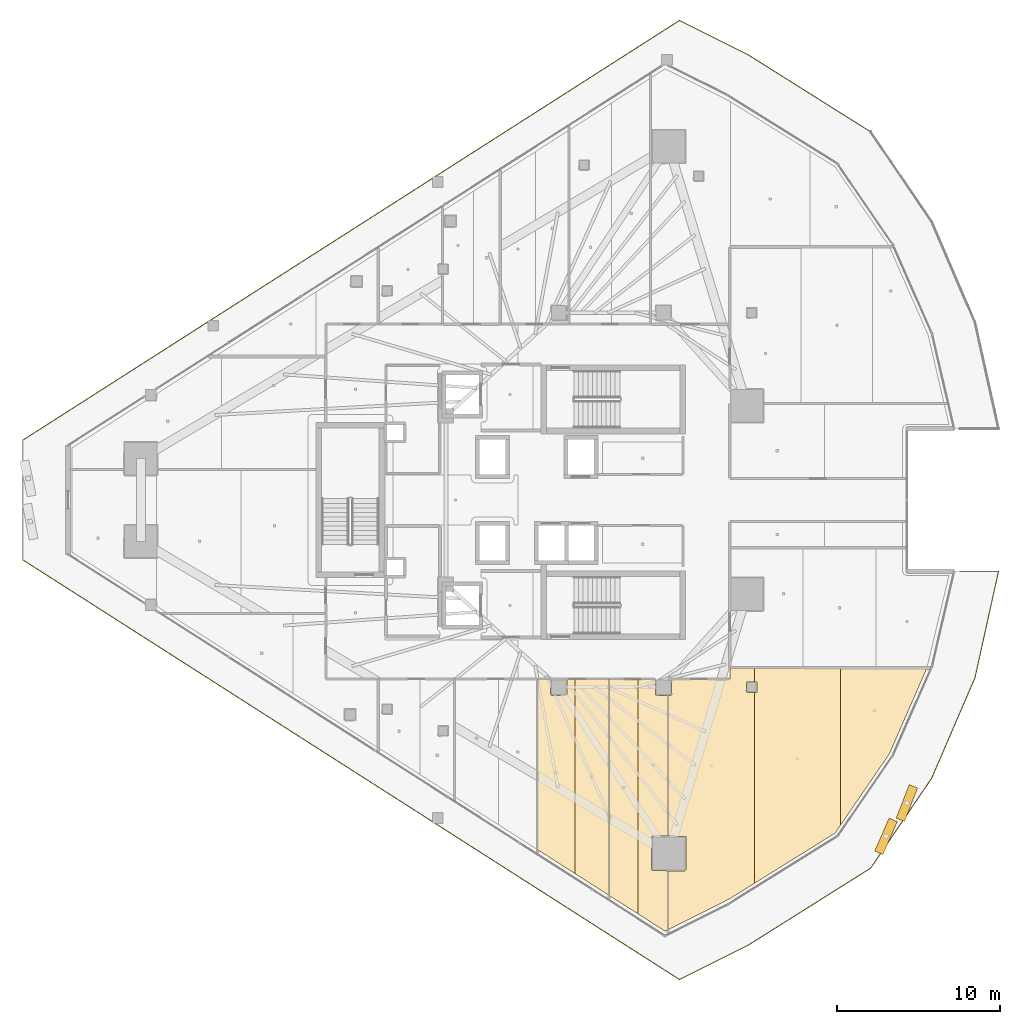
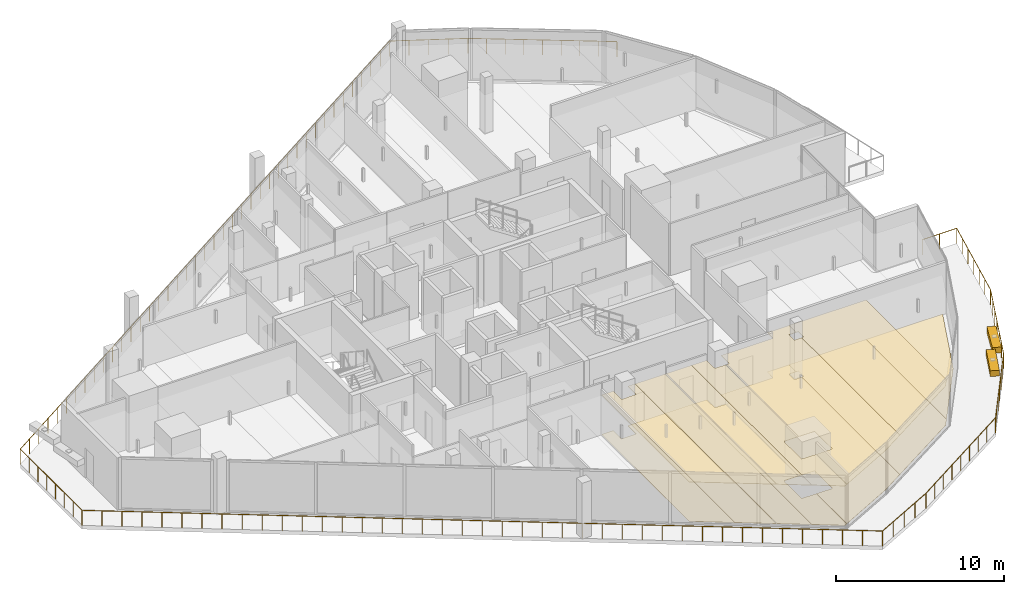
# One storey, part 30 of 33: 13 coverings, 2 shading devices, 1 railing.
"""IFC4 building model written with IfcOpenShell, lengths in metres."""

from ifc_helpers import new_model, si_unit, direction, frame, origin, origin_2d, place, context, subcontext, project, spatial, polyline, rectangle, circle, outline, extrude, material, layer, layer_set, type_object, element, save


model = new_model("IFC4")

# Units and contexts
model_context = context("Model", 3, precision=1e-05, world=origin(), true_north=direction((0.0, 1.0)))
body_context = subcontext(model_context, "Body", "Model", "MODEL_VIEW")
ifc_project = project(units=[si_unit("LENGTHUNIT", "METRE"), si_unit("AREAUNIT", "SQUARE_METRE"), si_unit("VOLUMEUNIT", "CUBIC_METRE"), si_unit("PLANEANGLEUNIT", "RADIAN"), si_unit("MASSUNIT", "GRAM", prefix="KILO")], contexts=[model_context])

# Site, building, storey
site_placement = place(None, origin())
site = spatial("IfcSite", under=ifc_project, at=site_placement, CompositionType="ELEMENT")
building_placement = place(site_placement, origin())
building = spatial("IfcBuilding", under=site, at=building_placement, Name="Qorvath Tower", CompositionType="ELEMENT")
storey_placement = place(building_placement, frame((0.0, 0.0, 209.10009765625)))
storey = spatial("IfcBuildingStorey", under=building, at=storey_placement, Name="L48", CompositionType="ELEMENT", Elevation=209.10009765625)

# Coverings
ifc_material_1 = material(Name="Acoustic mineral fibre ceiling tile", Category="gypsum")
ifc_layer_1 = layer(ifc_material_1, 0.030029296875)
ifc_layer_set_1 = layer_set([ifc_layer_1], Name="COV-CEIL")
covering_type_1 = type_object("IfcCoveringType", Name="COV-CEIL", PredefinedType="CEILING", material=ifc_layer_set_1)
covering_1_placement = place(storey_placement, frame((0.0, 0.0, 2.849853515625)))
element("IfcCovering", 1, at=covering_1_placement, inside=storey, type_object=covering_type_1, Name="L48 Suspended Acoustic Ceiling 024", PredefinedType="CEILING", context=body_context, shape_type="SweptSolid", body=[
    extrude(outline(polyline([(-24.9052734375, -10.962890625), (-24.9052734375, -21.39306640625), (-22.609375, -22.8603515625), (-22.609375, -10.962890625), (-23.105224609375, -10.962890625), (-23.107666015625, -11.9423828125), (-24.050048828125, -11.9599609375), (-24.110107421875, -11.89990234375), (-24.0947265625, -10.962890625), (-24.9052734375, -10.962890625)])), origin(), (0.0, 0.0, 1.0), 0.030029296875),
])
covering_2_placement = place(storey_placement, frame((0.0, 0.0, 2.849853515625)))
element("IfcCovering", 2, at=covering_2_placement, inside=storey, type_object=covering_type_1, Name="L48 Suspended Acoustic Ceiling 025", PredefinedType="CEILING", context=body_context, shape_type="SweptSolid", body=[
    extrude(outline(polyline([(-22.609375, -10.962890625), (-22.609375, -22.8603515625), (-20.524169921875, -24.193115234375), (-20.524169921875, -10.962890625), (-22.609375, -10.962890625)])), origin(), (0.0, 0.0, 1.0), 0.030029296875),
])
covering_3_placement = place(storey_placement, frame((0.0, 0.0, 2.849853515625)))
element("IfcCovering", 3, at=covering_3_placement, inside=storey, type_object=covering_type_1, Name="L48 Suspended Acoustic Ceiling 026", PredefinedType="CEILING", context=body_context, shape_type="SweptSolid", body=[
    extrude(outline(polyline([(-18.7431640625, -25.331298828125), (-18.7431640625, -10.968994140625), (-20.506103515625, -10.963134765625), (-20.506103515625, -24.20458984375), (-18.7431640625, -25.331298828125)])), origin(), (0.0, 0.0, 1.0), 0.030029296875),
])
covering_4_placement = place(storey_placement, frame((0.0, 0.0, 2.849853515625)))
element("IfcCovering", 4, at=covering_4_placement, inside=storey, type_object=covering_type_1, Name="L48 Suspended Acoustic Ceiling 027", PredefinedType="CEILING", context=body_context, shape_type="SweptSolid", body=[
    extrude(outline(polyline([(-17.87158203125, -20.567138671875), (-16.923583984375, -20.567138671875), (-16.923583984375, -11.9599609375), (-17.6923828125, -11.9423828125), (-17.698486328125, -10.972412109375), (-18.7431640625, -10.968994140625), (-18.7431640625, -25.331298828125), (-17.09130859375, -26.38720703125), (-16.923583984375, -26.303466796875), (-16.923583984375, -22.68701171875), (-17.9140625, -22.66943359375), (-17.931640625, -20.627197265625), (-17.87158203125, -20.567138671875)])), origin(), (0.0, 0.0, 1.0), 0.030029296875),
])
covering_5_placement = place(storey_placement, frame((0.0, 0.0, 2.849853515625)))
element("IfcCovering", 5, at=covering_5_placement, inside=storey, type_object=covering_type_1, Name="L48 Suspended Acoustic Ceiling 028", PredefinedType="CEILING", context=body_context, shape_type="SweptSolid", body=[
    extrude(outline(polyline([(-16.90576171875, -22.68701171875), (-16.90576171875, -26.29443359375), (-13.15673828125, -24.404296875), (-11.630859375, -23.454345703125), (-11.630859375, -11.771728515625), (-12.074951171875, -11.784912109375), (-12.135009765625, -11.72509765625), (-12.117431640625, -11.132568359375), (-11.630859375, -11.132568359375), (-11.630859375, -10.27978515625), (-13.136962890625, -10.279296875), (-13.14208984375, -10.962890625), (-16.705322265625, -10.962890625), (-16.68994140625, -11.89990234375), (-16.75, -11.9599609375), (-16.90576171875, -11.9599609375), (-16.90576171875, -20.567138671875), (-15.829345703125, -20.584716796875), (-15.811767578125, -22.627197265625), (-15.87158203125, -22.68701171875), (-16.90576171875, -22.68701171875)])), origin(), (0.0, 0.0, 1.0), 0.030029296875),
])
covering_6_placement = place(storey_placement, frame((0.0, 0.0, 2.849853515625)))
element("IfcCovering", 6, at=covering_6_placement, inside=storey, type_object=covering_type_1, Name="L48 Suspended Acoustic Ceiling 029", PredefinedType="CEILING", context=body_context, shape_type="SweptSolid", body=[
    extrude(outline(polyline([(-11.630859375, -10.27978515625), (-11.630859375, -11.132568359375), (-11.482666015625, -11.132568359375), (-11.482666015625, -11.767333984375), (-11.630859375, -11.771728515625), (-11.630859375, -23.454345703125), (-6.695068359375, -20.381103515625), (-6.35595703125, -19.885498046875), (-6.35595703125, -10.28173828125), (-11.630859375, -10.27978515625)])), origin(), (0.0, 0.0, 1.0), 0.030029296875),
])
ifc_material_2 = material(Name="Low-VOC modular carpet tile", Category="textile")
ifc_layer_2 = layer(ifc_material_2, 0.014892578125)
ifc_layer_set_2 = layer_set([ifc_layer_2], Name="COV-FLOOR-CPT")
covering_type_2 = type_object("IfcCoveringType", Name="COV-FLOOR-CPT", PredefinedType="FLOORING", material=ifc_layer_set_2)
covering_7_placement = place(storey_placement, origin())
element("IfcCovering", 7, at=covering_7_placement, inside=storey, type_object=covering_type_2, Name="L48 Floor Finish 024", PredefinedType="FLOORING", context=body_context, shape_type="SweptSolid", body=[
    extrude(outline(polyline([(-24.9052734375, -10.962890625), (-24.9052734375, -21.39306640625), (-22.609375, -22.8603515625), (-22.609375, -10.962890625), (-23.105224609375, -10.962890625), (-23.107666015625, -11.9423828125), (-24.050048828125, -11.9599609375), (-24.110107421875, -11.89990234375), (-24.0947265625, -10.962890625), (-24.9052734375, -10.962890625)])), origin(), (0.0, 0.0, 1.0), 0.014892578125),
])
covering_8_placement = place(storey_placement, origin())
element("IfcCovering", 8, at=covering_8_placement, inside=storey, type_object=covering_type_2, Name="L48 Floor Finish 025", PredefinedType="FLOORING", context=body_context, shape_type="SweptSolid", body=[
    extrude(outline(polyline([(-22.609375, -10.962890625), (-22.609375, -22.8603515625), (-20.524169921875, -24.193115234375), (-20.524169921875, -10.962890625), (-22.609375, -10.962890625)])), origin(), (0.0, 0.0, 1.0), 0.014892578125),
])
covering_9_placement = place(storey_placement, origin())
element("IfcCovering", 9, at=covering_9_placement, inside=storey, type_object=covering_type_2, Name="L48 Floor Finish 026", PredefinedType="FLOORING", context=body_context, shape_type="SweptSolid", body=[
    extrude(outline(polyline([(-18.7431640625, -25.331298828125), (-18.7431640625, -10.968994140625), (-20.506103515625, -10.963134765625), (-20.506103515625, -24.20458984375), (-18.7431640625, -25.331298828125)])), origin(), (0.0, 0.0, 1.0), 0.014892578125),
])
covering_10_placement = place(storey_placement, origin())
element("IfcCovering", 10, at=covering_10_placement, inside=storey, type_object=covering_type_2, Name="L48 Floor Finish 027", PredefinedType="FLOORING", context=body_context, shape_type="SweptSolid", body=[
    extrude(outline(polyline([(-17.87158203125, -20.567138671875), (-16.923583984375, -20.567138671875), (-16.923583984375, -11.9599609375), (-17.6923828125, -11.9423828125), (-17.698486328125, -10.972412109375), (-18.7431640625, -10.968994140625), (-18.7431640625, -25.331298828125), (-17.09130859375, -26.38720703125), (-16.923583984375, -26.303466796875), (-16.923583984375, -22.68701171875), (-17.9140625, -22.66943359375), (-17.931640625, -20.627197265625), (-17.87158203125, -20.567138671875)])), origin(), (0.0, 0.0, 1.0), 0.014892578125),
])
covering_11_placement = place(storey_placement, origin())
element("IfcCovering", 11, at=covering_11_placement, inside=storey, type_object=covering_type_2, Name="L48 Floor Finish 028", PredefinedType="FLOORING", context=body_context, shape_type="SweptSolid", body=[
    extrude(outline(polyline([(-16.90576171875, -22.68701171875), (-16.90576171875, -26.29443359375), (-13.15673828125, -24.404296875), (-11.630859375, -23.454345703125), (-11.630859375, -11.771728515625), (-12.074951171875, -11.784912109375), (-12.135009765625, -11.72509765625), (-12.117431640625, -11.132568359375), (-11.630859375, -11.132568359375), (-11.630859375, -10.27978515625), (-13.136962890625, -10.279296875), (-13.14208984375, -10.962890625), (-16.705322265625, -10.962890625), (-16.68994140625, -11.89990234375), (-16.75, -11.9599609375), (-16.90576171875, -11.9599609375), (-16.90576171875, -20.567138671875), (-15.829345703125, -20.584716796875), (-15.811767578125, -22.627197265625), (-15.87158203125, -22.68701171875), (-16.90576171875, -22.68701171875)])), origin(), (0.0, 0.0, 1.0), 0.014892578125),
])
covering_12_placement = place(storey_placement, origin())
element("IfcCovering", 12, at=covering_12_placement, inside=storey, type_object=covering_type_2, Name="L48 Floor Finish 029", PredefinedType="FLOORING", context=body_context, shape_type="SweptSolid", body=[
    extrude(outline(polyline([(-11.630859375, -10.27978515625), (-11.630859375, -11.132568359375), (-11.482666015625, -11.132568359375), (-11.482666015625, -11.767333984375), (-11.630859375, -11.771728515625), (-11.630859375, -23.454345703125), (-6.695068359375, -20.381103515625), (-6.35595703125, -19.885498046875), (-6.35595703125, -10.28173828125), (-11.630859375, -10.27978515625)])), origin(), (0.0, 0.0, 1.0), 0.014892578125),
])
covering_13_placement = place(storey_placement, origin())
element("IfcCovering", 13, at=covering_13_placement, inside=storey, type_object=covering_type_2, Name="L48 Floor Finish 030", PredefinedType="FLOORING", context=body_context, shape_type="SweptSolid", body=[
    extrude(outline(polyline([(-6.35595703125, -10.28173828125), (-6.35595703125, -19.885498046875), (-3.366943359375, -15.516845703125), (-1.0810546875, -10.283935546875), (-6.35595703125, -10.28173828125)])), origin(), (0.0, 0.0, 1.0), 0.014892578125),
])

# Railing
ifc_material_3 = material(Name="Laminated safety glass and stainless steel AISI 316", Category="steel")
railing_type = type_object("IfcRailingType", Name="RL-EXT-GRD", PredefinedType="GUARDRAIL", material=ifc_material_3)
railing_placement = place(storey_placement, frame((0.94384765625, -4.35791015625, 0.0)))
element("IfcRailing", 14, at=railing_placement, inside=storey, type_object=railing_type, Name="Loggia Perimeter Guardrail L48-1.2", PredefinedType="GUARDRAIL", context=body_context, shape_type="SweptSolid", body=[
    extrude(circle(Radius=0.02392578125, at=origin_2d()), frame((0.0, 0.0, 1.09619140625), z_axis=(1.0, 0.0, 0.0), x_axis=(0.0, 1.0, 0.0)), (0.0, 0.0, 1.0), 2.366943359375),
    extrude(circle(Radius=0.02392578125, at=origin_2d()), frame((2.366943359375, 0.0, 1.09619140625), z_axis=(-0.216078131765, -0.976376075584, 0.0), x_axis=(0.976376075584, -0.216078131765, 0.0)), (0.0, 0.0, 1.0), 6.673095703125),
    extrude(circle(Radius=0.02392578125, at=origin_2d()), frame((0.925048828125, -6.515380859375, 1.09619140625), z_axis=(-0.395486213143, -0.918471913133, 0.0), x_axis=(0.918471913133, -0.395486213143, 0.0)), (0.0, 0.0, 1.0), 6.673095703125),
    extrude(circle(Radius=0.02392578125, at=origin_2d()), frame((-1.714111328125, -12.64453125, 1.09619140625), z_axis=(-0.560823067229, -0.827935678217, 0.0), x_axis=(0.827935678217, -0.560823067229, 0.0)), (0.0, 0.0, 1.0), 6.673095703125),
    extrude(circle(Radius=0.02392578125, at=origin_2d()), frame((-5.45654296875, -18.16943359375, 1.09619140625), z_axis=(-0.846494149319, -0.532398023258, 0.0), x_axis=(0.532398023258, -0.846494149319, 0.0)), (0.0, 0.0, 1.0), 8.874267578125),
    extrude(circle(Radius=0.02392578125, at=origin_2d()), frame((-12.968505859375, -22.89404296875, 1.09619140625), z_axis=(-0.894437607547, -0.4471927618, 0.0), x_axis=(0.4471927618, -0.894437607547, 0.0)), (0.0, 0.0, 1.0), 4.6875),
    extrude(circle(Radius=0.02392578125, at=origin_2d()), frame((-17.1611328125, -24.990234375, 1.09619140625), z_axis=(-0.84260449313, 0.538532884936, 0.0), x_axis=(-0.538532884936, -0.84260449313, 0.0)), (0.0, 0.0, 1.0), 47.6845703125),
    extrude(circle(Radius=0.02392578125, at=origin_2d()), frame((-57.34033203125, 0.689453125, 1.09619140625), z_axis=(0.0, 1.0, 0.0), x_axis=(-1.0, 0.0, 0.0)), (0.0, 0.0, 1.0), 7.3369140625),
    extrude(circle(Radius=0.02392578125, at=origin_2d()), frame((-57.34033203125, 8.0263671875, 1.09619140625), z_axis=(0.84260449313, 0.538532884936, 0.0), x_axis=(-0.538532884936, 0.84260449313, 0.0)), (0.0, 0.0, 1.0), 47.6845703125),
    extrude(circle(Radius=0.02392578125, at=origin_2d()), frame((-17.1611328125, 33.7060546875, 1.09619140625), z_axis=(0.894437607547, -0.4471927618, 0.0), x_axis=(0.4471927618, 0.894437607547, 0.0)), (0.0, 0.0, 1.0), 4.6875),
    extrude(circle(Radius=0.02392578125, at=origin_2d()), frame((-12.968505859375, 31.60986328125, 1.09619140625), z_axis=(0.846494149319, -0.532398023258, 0.0), x_axis=(0.532398023258, 0.846494149319, 0.0)), (0.0, 0.0, 1.0), 8.874267578125),
    extrude(circle(Radius=0.02099609375, at=origin_2d()), origin(), (0.0, 0.0, 1.0), 1.072021484375),
    extrude(circle(Radius=0.02099609375, at=origin_2d()), frame((1.18359375, 0.0, 0.0)), (0.0, 0.0, 1.0), 1.072021484375),
    extrude(circle(Radius=0.02099609375, at=origin_2d()), frame((2.366943359375, 0.0, 0.0)), (0.0, 0.0, 1.0), 1.072021484375),
    extrude(circle(Radius=0.02099609375, at=origin_2d()), frame((2.126708984375, -1.0859375, 0.0)), (0.0, 0.0, 1.0), 1.072021484375),
    extrude(circle(Radius=0.02099609375, at=origin_2d()), frame((1.88623046875, -2.171875, 0.0)), (0.0, 0.0, 1.0), 1.072021484375),
    extrude(circle(Radius=0.02099609375, at=origin_2d()), frame((1.64599609375, -3.2578125, 0.0)), (0.0, 0.0, 1.0), 1.072021484375),
    extrude(circle(Radius=0.02099609375, at=origin_2d()), frame((1.40576171875, -4.343505859375, 0.0)), (0.0, 0.0, 1.0), 1.072021484375),
    extrude(circle(Radius=0.02099609375, at=origin_2d()), frame((1.165283203125, -5.429443359375, 0.0)), (0.0, 0.0, 1.0), 1.072021484375),
    extrude(circle(Radius=0.02099609375, at=origin_2d()), frame((0.925048828125, -6.515380859375, 0.0)), (0.0, 0.0, 1.0), 1.072021484375),
    extrude(circle(Radius=0.02099609375, at=origin_2d()), frame((0.485107421875, -7.536865234375, 0.0)), (0.0, 0.0, 1.0), 1.072021484375),
    extrude(circle(Radius=0.02099609375, at=origin_2d()), frame((0.04541015625, -8.558349609375, 0.0)), (0.0, 0.0, 1.0), 1.072021484375),
    extrude(circle(Radius=0.02099609375, at=origin_2d()), frame((-0.39453125, -9.580078125, 0.0)), (0.0, 0.0, 1.0), 1.072021484375),
    extrude(circle(Radius=0.02099609375, at=origin_2d()), frame((-0.83447265625, -10.6015625, 0.0)), (0.0, 0.0, 1.0), 1.072021484375),
    extrude(circle(Radius=0.02099609375, at=origin_2d()), frame((-1.274169921875, -11.623046875, 0.0)), (0.0, 0.0, 1.0), 1.072021484375),
    extrude(circle(Radius=0.02099609375, at=origin_2d()), frame((-1.714111328125, -12.64453125, 0.0)), (0.0, 0.0, 1.0), 1.072021484375),
    extrude(circle(Radius=0.02099609375, at=origin_2d()), frame((-2.337890625, -13.5654296875, 0.0)), (0.0, 0.0, 1.0), 1.072021484375),
    extrude(circle(Radius=0.02099609375, at=origin_2d()), frame((-2.961669921875, -14.486083984375, 0.0)), (0.0, 0.0, 1.0), 1.072021484375),
    extrude(circle(Radius=0.02099609375, at=origin_2d()), frame((-3.58544921875, -15.406982421875, 0.0)), (0.0, 0.0, 1.0), 1.072021484375),
    extrude(circle(Radius=0.02099609375, at=origin_2d()), frame((-4.208984375, -16.327880859375, 0.0)), (0.0, 0.0, 1.0), 1.072021484375),
    extrude(circle(Radius=0.02099609375, at=origin_2d()), frame((-4.832763671875, -17.24853515625, 0.0)), (0.0, 0.0, 1.0), 1.072021484375),
    extrude(circle(Radius=0.02099609375, at=origin_2d()), frame((-5.45654296875, -18.16943359375, 0.0)), (0.0, 0.0, 1.0), 1.072021484375),
    extrude(circle(Radius=0.02099609375, at=origin_2d()), frame((-6.3955078125, -18.760009765625, 0.0)), (0.0, 0.0, 1.0), 1.072021484375),
    extrude(circle(Radius=0.02099609375, at=origin_2d()), frame((-7.33447265625, -19.3505859375, 0.0)), (0.0, 0.0, 1.0), 1.072021484375),
    extrude(circle(Radius=0.02099609375, at=origin_2d()), frame((-8.2734375, -19.941162109375, 0.0)), (0.0, 0.0, 1.0), 1.072021484375),
    extrude(circle(Radius=0.02099609375, at=origin_2d()), frame((-9.21240234375, -20.53173828125, 0.0)), (0.0, 0.0, 1.0), 1.072021484375),
    extrude(circle(Radius=0.02099609375, at=origin_2d()), frame((-10.151611328125, -21.122314453125, 0.0)), (0.0, 0.0, 1.0), 1.072021484375),
    extrude(circle(Radius=0.02099609375, at=origin_2d()), frame((-11.090576171875, -21.712890625, 0.0)), (0.0, 0.0, 1.0), 1.072021484375),
    extrude(circle(Radius=0.02099609375, at=origin_2d()), frame((-12.029541015625, -22.303466796875, 0.0)), (0.0, 0.0, 1.0), 1.072021484375),
    extrude(circle(Radius=0.02099609375, at=origin_2d()), frame((-12.968505859375, -22.89404296875, 0.0)), (0.0, 0.0, 1.0), 1.072021484375),
    extrude(circle(Radius=0.02099609375, at=origin_2d()), frame((-14.0166015625, -23.41796875, 0.0)), (0.0, 0.0, 1.0), 1.072021484375),
    extrude(circle(Radius=0.02099609375, at=origin_2d()), frame((-15.06494140625, -23.942138671875, 0.0)), (0.0, 0.0, 1.0), 1.072021484375),
    extrude(circle(Radius=0.02099609375, at=origin_2d()), frame((-16.113037109375, -24.46630859375, 0.0)), (0.0, 0.0, 1.0), 1.072021484375),
    extrude(circle(Radius=0.02099609375, at=origin_2d()), frame((-17.1611328125, -24.990234375, 0.0)), (0.0, 0.0, 1.0), 1.072021484375),
    extrude(circle(Radius=0.02099609375, at=origin_2d()), frame((-18.16552734375, -24.34814453125, 0.0)), (0.0, 0.0, 1.0), 1.072021484375),
    extrude(circle(Radius=0.02099609375, at=origin_2d()), frame((-19.170166015625, -23.706298828125, 0.0)), (0.0, 0.0, 1.0), 1.072021484375),
    extrude(circle(Radius=0.02099609375, at=origin_2d()), frame((-20.174560546875, -23.064208984375, 0.0)), (0.0, 0.0, 1.0), 1.072021484375),
    extrude(circle(Radius=0.02099609375, at=origin_2d()), frame((-21.178955078125, -22.42236328125, 0.0)), (0.0, 0.0, 1.0), 1.072021484375),
    extrude(circle(Radius=0.02099609375, at=origin_2d()), frame((-22.18359375, -21.7802734375, 0.0)), (0.0, 0.0, 1.0), 1.072021484375),
    extrude(circle(Radius=0.02099609375, at=origin_2d()), frame((-23.18798828125, -21.13818359375, 0.0)), (0.0, 0.0, 1.0), 1.072021484375),
    extrude(circle(Radius=0.02099609375, at=origin_2d()), frame((-24.1923828125, -20.496337890625, 0.0)), (0.0, 0.0, 1.0), 1.072021484375),
    extrude(circle(Radius=0.02099609375, at=origin_2d()), frame((-25.197021484375, -19.854248046875, 0.0)), (0.0, 0.0, 1.0), 1.072021484375),
    extrude(circle(Radius=0.02099609375, at=origin_2d()), frame((-26.201416015625, -19.21240234375, 0.0)), (0.0, 0.0, 1.0), 1.072021484375),
    extrude(circle(Radius=0.02099609375, at=origin_2d()), frame((-27.2060546875, -18.5703125, 0.0)), (0.0, 0.0, 1.0), 1.072021484375),
    extrude(circle(Radius=0.02099609375, at=origin_2d()), frame((-28.21044921875, -17.92822265625, 0.0)), (0.0, 0.0, 1.0), 1.072021484375),
    extrude(circle(Radius=0.02099609375, at=origin_2d()), frame((-29.21484375, -17.286376953125, 0.0)), (0.0, 0.0, 1.0), 1.072021484375),
    extrude(circle(Radius=0.02099609375, at=origin_2d()), frame((-30.219482421875, -16.644287109375, 0.0)), (0.0, 0.0, 1.0), 1.072021484375),
    extrude(circle(Radius=0.02099609375, at=origin_2d()), frame((-31.223876953125, -16.00244140625, 0.0)), (0.0, 0.0, 1.0), 1.072021484375),
    extrude(circle(Radius=0.02099609375, at=origin_2d()), frame((-32.228271484375, -15.3603515625, 0.0)), (0.0, 0.0, 1.0), 1.072021484375),
    extrude(circle(Radius=0.02099609375, at=origin_2d()), frame((-33.23291015625, -14.71826171875, 0.0)), (0.0, 0.0, 1.0), 1.072021484375),
    extrude(circle(Radius=0.02099609375, at=origin_2d()), frame((-34.2373046875, -14.076416015625, 0.0)), (0.0, 0.0, 1.0), 1.072021484375),
    extrude(circle(Radius=0.02099609375, at=origin_2d()), frame((-35.24169921875, -13.434326171875, 0.0)), (0.0, 0.0, 1.0), 1.072021484375),
    extrude(circle(Radius=0.02099609375, at=origin_2d()), frame((-36.246337890625, -12.79248046875, 0.0)), (0.0, 0.0, 1.0), 1.072021484375),
    extrude(circle(Radius=0.02099609375, at=origin_2d()), frame((-37.250732421875, -12.150390625, 0.0)), (0.0, 0.0, 1.0), 1.072021484375),
    extrude(circle(Radius=0.02099609375, at=origin_2d()), frame((-38.255126953125, -11.50830078125, 0.0)), (0.0, 0.0, 1.0), 1.072021484375),
    extrude(circle(Radius=0.02099609375, at=origin_2d()), frame((-39.259765625, -10.866455078125, 0.0)), (0.0, 0.0, 1.0), 1.072021484375),
    extrude(circle(Radius=0.02099609375, at=origin_2d()), frame((-40.26416015625, -10.224365234375, 0.0)), (0.0, 0.0, 1.0), 1.072021484375),
    extrude(circle(Radius=0.02099609375, at=origin_2d()), frame((-41.2685546875, -9.58251953125, 0.0)), (0.0, 0.0, 1.0), 1.072021484375),
    extrude(circle(Radius=0.02099609375, at=origin_2d()), frame((-42.273193359375, -8.9404296875, 0.0)), (0.0, 0.0, 1.0), 1.072021484375),
    extrude(circle(Radius=0.02099609375, at=origin_2d()), frame((-43.277587890625, -8.29833984375, 0.0)), (0.0, 0.0, 1.0), 1.072021484375),
    extrude(circle(Radius=0.02099609375, at=origin_2d()), frame((-44.281982421875, -7.656494140625, 0.0)), (0.0, 0.0, 1.0), 1.072021484375),
    extrude(circle(Radius=0.02099609375, at=origin_2d()), frame((-45.28662109375, -7.014404296875, 0.0)), (0.0, 0.0, 1.0), 1.072021484375),
    extrude(circle(Radius=0.02099609375, at=origin_2d()), frame((-46.291015625, -6.37255859375, 0.0)), (0.0, 0.0, 1.0), 1.072021484375),
    extrude(circle(Radius=0.02099609375, at=origin_2d()), frame((-47.29541015625, -5.73046875, 0.0)), (0.0, 0.0, 1.0), 1.072021484375),
    extrude(circle(Radius=0.02099609375, at=origin_2d()), frame((-48.300048828125, -5.08837890625, 0.0)), (0.0, 0.0, 1.0), 1.072021484375),
    extrude(circle(Radius=0.02099609375, at=origin_2d()), frame((-49.304443359375, -4.446533203125, 0.0)), (0.0, 0.0, 1.0), 1.072021484375),
    extrude(circle(Radius=0.02099609375, at=origin_2d()), frame((-50.30908203125, -3.804443359375, 0.0)), (0.0, 0.0, 1.0), 1.072021484375),
    extrude(circle(Radius=0.02099609375, at=origin_2d()), frame((-51.3134765625, -3.16259765625, 0.0)), (0.0, 0.0, 1.0), 1.072021484375),
    extrude(circle(Radius=0.02099609375, at=origin_2d()), frame((-52.31787109375, -2.5205078125, 0.0)), (0.0, 0.0, 1.0), 1.072021484375),
    extrude(circle(Radius=0.02099609375, at=origin_2d()), frame((-53.322509765625, -1.87841796875, 0.0)), (0.0, 0.0, 1.0), 1.072021484375),
    extrude(circle(Radius=0.02099609375, at=origin_2d()), frame((-54.326904296875, -1.236572265625, 0.0)), (0.0, 0.0, 1.0), 1.072021484375),
    extrude(circle(Radius=0.02099609375, at=origin_2d()), frame((-55.331298828125, -0.594482421875, 0.0)), (0.0, 0.0, 1.0), 1.072021484375),
    extrude(circle(Radius=0.02099609375, at=origin_2d()), frame((-56.3359375, 0.04736328125, 0.0)), (0.0, 0.0, 1.0), 1.072021484375),
    extrude(circle(Radius=0.02099609375, at=origin_2d()), frame((-57.34033203125, 0.689453125, 0.0)), (0.0, 0.0, 1.0), 1.072021484375),
    extrude(circle(Radius=0.02099609375, at=origin_2d()), frame((-57.34033203125, 1.737548828125, 0.0)), (0.0, 0.0, 1.0), 1.072021484375),
    extrude(circle(Radius=0.02099609375, at=origin_2d()), frame((-57.34033203125, 2.78564453125, 0.0)), (0.0, 0.0, 1.0), 1.072021484375),
    extrude(circle(Radius=0.02099609375, at=origin_2d()), frame((-57.34033203125, 3.833740234375, 0.0)), (0.0, 0.0, 1.0), 1.072021484375),
    extrude(circle(Radius=0.02099609375, at=origin_2d()), frame((-57.34033203125, 4.882080078125, 0.0)), (0.0, 0.0, 1.0), 1.072021484375),
    extrude(circle(Radius=0.02099609375, at=origin_2d()), frame((-57.34033203125, 5.93017578125, 0.0)), (0.0, 0.0, 1.0), 1.072021484375),
    extrude(circle(Radius=0.02099609375, at=origin_2d()), frame((-57.34033203125, 6.978271484375, 0.0)), (0.0, 0.0, 1.0), 1.072021484375),
    extrude(circle(Radius=0.02099609375, at=origin_2d()), frame((-57.34033203125, 8.0263671875, 0.0)), (0.0, 0.0, 1.0), 1.072021484375),
    extrude(circle(Radius=0.02099609375, at=origin_2d()), frame((-56.3359375, 8.66845703125, 0.0)), (0.0, 0.0, 1.0), 1.072021484375),
    extrude(circle(Radius=0.02099609375, at=origin_2d()), frame((-55.331298828125, 9.310302734375, 0.0)), (0.0, 0.0, 1.0), 1.072021484375),
    extrude(circle(Radius=0.02099609375, at=origin_2d()), frame((-54.326904296875, 9.952392578125, 0.0)), (0.0, 0.0, 1.0), 1.072021484375),
    extrude(circle(Radius=0.02099609375, at=origin_2d()), frame((-53.322509765625, 10.59423828125, 0.0)), (0.0, 0.0, 1.0), 1.072021484375),
    extrude(circle(Radius=0.02099609375, at=origin_2d()), frame((-52.31787109375, 11.236328125, 0.0)), (0.0, 0.0, 1.0), 1.072021484375),
    extrude(circle(Radius=0.02099609375, at=origin_2d()), frame((-51.3134765625, 11.87841796875, 0.0)), (0.0, 0.0, 1.0), 1.072021484375),
    extrude(circle(Radius=0.02099609375, at=origin_2d()), frame((-50.30908203125, 12.520263671875, 0.0)), (0.0, 0.0, 1.0), 1.072021484375),
    extrude(circle(Radius=0.02099609375, at=origin_2d()), frame((-49.304443359375, 13.162353515625, 0.0)), (0.0, 0.0, 1.0), 1.072021484375),
    extrude(circle(Radius=0.02099609375, at=origin_2d()), frame((-48.300048828125, 13.80419921875, 0.0)), (0.0, 0.0, 1.0), 1.072021484375),
    extrude(circle(Radius=0.02099609375, at=origin_2d()), frame((-47.29541015625, 14.4462890625, 0.0)), (0.0, 0.0, 1.0), 1.072021484375),
    extrude(circle(Radius=0.02099609375, at=origin_2d()), frame((-46.291015625, 15.08837890625, 0.0)), (0.0, 0.0, 1.0), 1.072021484375),
    extrude(circle(Radius=0.02099609375, at=origin_2d()), frame((-45.28662109375, 15.730224609375, 0.0)), (0.0, 0.0, 1.0), 1.072021484375),
    extrude(circle(Radius=0.02099609375, at=origin_2d()), frame((-44.281982421875, 16.372314453125, 0.0)), (0.0, 0.0, 1.0), 1.072021484375),
    extrude(circle(Radius=0.02099609375, at=origin_2d()), frame((-43.277587890625, 17.01416015625, 0.0)), (0.0, 0.0, 1.0), 1.072021484375),
    extrude(circle(Radius=0.02099609375, at=origin_2d()), frame((-42.273193359375, 17.65625, 0.0)), (0.0, 0.0, 1.0), 1.072021484375),
    extrude(circle(Radius=0.02099609375, at=origin_2d()), frame((-41.2685546875, 18.29833984375, 0.0)), (0.0, 0.0, 1.0), 1.072021484375),
    extrude(circle(Radius=0.02099609375, at=origin_2d()), frame((-40.26416015625, 18.940185546875, 0.0)), (0.0, 0.0, 1.0), 1.072021484375),
    extrude(circle(Radius=0.02099609375, at=origin_2d()), frame((-39.259765625, 19.582275390625, 0.0)), (0.0, 0.0, 1.0), 1.072021484375),
    extrude(circle(Radius=0.02099609375, at=origin_2d()), frame((-38.255126953125, 20.22412109375, 0.0)), (0.0, 0.0, 1.0), 1.072021484375),
    extrude(circle(Radius=0.02099609375, at=origin_2d()), frame((-37.250732421875, 20.8662109375, 0.0)), (0.0, 0.0, 1.0), 1.072021484375),
    extrude(circle(Radius=0.02099609375, at=origin_2d()), frame((-36.246337890625, 21.50830078125, 0.0)), (0.0, 0.0, 1.0), 1.072021484375),
    extrude(circle(Radius=0.02099609375, at=origin_2d()), frame((-35.24169921875, 22.150146484375, 0.0)), (0.0, 0.0, 1.0), 1.072021484375),
    extrude(circle(Radius=0.02099609375, at=origin_2d()), frame((-34.2373046875, 22.792236328125, 0.0)), (0.0, 0.0, 1.0), 1.072021484375),
    extrude(circle(Radius=0.02099609375, at=origin_2d()), frame((-33.23291015625, 23.43408203125, 0.0)), (0.0, 0.0, 1.0), 1.072021484375),
    extrude(circle(Radius=0.02099609375, at=origin_2d()), frame((-32.228271484375, 24.076171875, 0.0)), (0.0, 0.0, 1.0), 1.072021484375),
    extrude(circle(Radius=0.02099609375, at=origin_2d()), frame((-31.223876953125, 24.71826171875, 0.0)), (0.0, 0.0, 1.0), 1.072021484375),
    extrude(circle(Radius=0.02099609375, at=origin_2d()), frame((-30.219482421875, 25.360107421875, 0.0)), (0.0, 0.0, 1.0), 1.072021484375),
    extrude(circle(Radius=0.02099609375, at=origin_2d()), frame((-29.21484375, 26.002197265625, 0.0)), (0.0, 0.0, 1.0), 1.072021484375),
    extrude(circle(Radius=0.02099609375, at=origin_2d()), frame((-28.21044921875, 26.64404296875, 0.0)), (0.0, 0.0, 1.0), 1.072021484375),
    extrude(circle(Radius=0.02099609375, at=origin_2d()), frame((-27.2060546875, 27.2861328125, 0.0)), (0.0, 0.0, 1.0), 1.072021484375),
    extrude(circle(Radius=0.02099609375, at=origin_2d()), frame((-26.201416015625, 27.92822265625, 0.0)), (0.0, 0.0, 1.0), 1.072021484375),
    extrude(circle(Radius=0.02099609375, at=origin_2d()), frame((-25.197021484375, 28.570068359375, 0.0)), (0.0, 0.0, 1.0), 1.072021484375),
    extrude(circle(Radius=0.02099609375, at=origin_2d()), frame((-24.1923828125, 29.212158203125, 0.0)), (0.0, 0.0, 1.0), 1.072021484375),
    extrude(circle(Radius=0.02099609375, at=origin_2d()), frame((-23.18798828125, 29.85400390625, 0.0)), (0.0, 0.0, 1.0), 1.072021484375),
    extrude(circle(Radius=0.02099609375, at=origin_2d()), frame((-22.18359375, 30.49609375, 0.0)), (0.0, 0.0, 1.0), 1.072021484375),
    extrude(circle(Radius=0.02099609375, at=origin_2d()), frame((-21.178955078125, 31.13818359375, 0.0)), (0.0, 0.0, 1.0), 1.072021484375),
    extrude(circle(Radius=0.02099609375, at=origin_2d()), frame((-20.174560546875, 31.780029296875, 0.0)), (0.0, 0.0, 1.0), 1.072021484375),
    extrude(circle(Radius=0.02099609375, at=origin_2d()), frame((-19.170166015625, 32.422119140625, 0.0)), (0.0, 0.0, 1.0), 1.072021484375),
    extrude(circle(Radius=0.02099609375, at=origin_2d()), frame((-18.16552734375, 33.06396484375, 0.0)), (0.0, 0.0, 1.0), 1.072021484375),
    extrude(circle(Radius=0.02099609375, at=origin_2d()), frame((-17.1611328125, 33.7060546875, 0.0)), (0.0, 0.0, 1.0), 1.072021484375),
    extrude(circle(Radius=0.02099609375, at=origin_2d()), frame((-16.113037109375, 33.18212890625, 0.0)), (0.0, 0.0, 1.0), 1.072021484375),
    extrude(circle(Radius=0.02099609375, at=origin_2d()), frame((-15.06494140625, 32.657958984375, 0.0)), (0.0, 0.0, 1.0), 1.072021484375),
    extrude(circle(Radius=0.02099609375, at=origin_2d()), frame((-14.0166015625, 32.1337890625, 0.0)), (0.0, 0.0, 1.0), 1.072021484375),
    extrude(circle(Radius=0.02099609375, at=origin_2d()), frame((-12.968505859375, 31.60986328125, 0.0)), (0.0, 0.0, 1.0), 1.072021484375),
    extrude(circle(Radius=0.02099609375, at=origin_2d()), frame((-12.029541015625, 31.019287109375, 0.0)), (0.0, 0.0, 1.0), 1.072021484375),
    extrude(circle(Radius=0.02099609375, at=origin_2d()), frame((-11.090576171875, 30.4287109375, 0.0)), (0.0, 0.0, 1.0), 1.072021484375),
    extrude(circle(Radius=0.02099609375, at=origin_2d()), frame((-10.151611328125, 29.838134765625, 0.0)), (0.0, 0.0, 1.0), 1.072021484375),
    extrude(circle(Radius=0.02099609375, at=origin_2d()), frame((-9.21240234375, 29.24755859375, 0.0)), (0.0, 0.0, 1.0), 1.072021484375),
    extrude(circle(Radius=0.02099609375, at=origin_2d()), frame((-8.2734375, 28.656982421875, 0.0)), (0.0, 0.0, 1.0), 1.072021484375),
    extrude(circle(Radius=0.02099609375, at=origin_2d()), frame((-7.33447265625, 28.06640625, 0.0)), (0.0, 0.0, 1.0), 1.072021484375),
    extrude(circle(Radius=0.02099609375, at=origin_2d()), frame((-6.3955078125, 27.475830078125, 0.0)), (0.0, 0.0, 1.0), 1.072021484375),
    extrude(circle(Radius=0.02099609375, at=origin_2d()), frame((-5.45654296875, 26.88525390625, 0.0)), (0.0, 0.0, 1.0), 1.072021484375),
])

# Shading devices
ifc_material_4 = material(Name="Anodised bronze-champagne aluminium", Category="aluminium")
shading_device_type = type_object("IfcShadingDeviceType", Name="SD-LOUVRE", PredefinedType="JALOUSIE", material=ifc_material_4)
for number, where, z_axis, x_axis, name in (
    (15, (-3.580078125, -20.580078125, 3.35986328125), (0.0, 0.0, 1.0), (0.399928360115, 0.916546401867, 0.0), "Sinusoidal Wave Louvre Blade L48-03"),
    (16, (-2.304443359375, -18.54248046875, 3.35986328125), (0.0, 0.0, 1.0), (0.364431492919, 0.931230200846, 0.0), "Sinusoidal Wave Louvre Blade L48-04"),
):
    element("IfcShadingDevice", number, at=place(storey_placement, frame(where, z_axis=z_axis, x_axis=x_axis)), inside=storey, type_object=shading_device_type, Name=name, PredefinedType="NOTDEFINED", context=body_context, shape_type="SweptSolid", body=[
        extrude(rectangle(XDim=2.199951171875, YDim=0.550048828125, at=origin_2d()), origin(), (0.0, 0.0, 1.0), 0.419921875),
    ])

save(model, "model.ifc")
